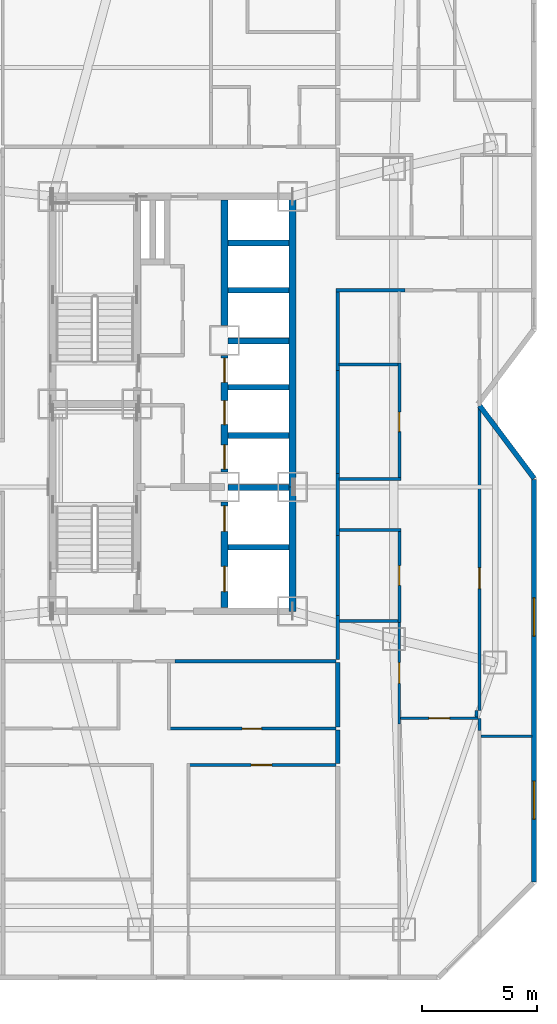
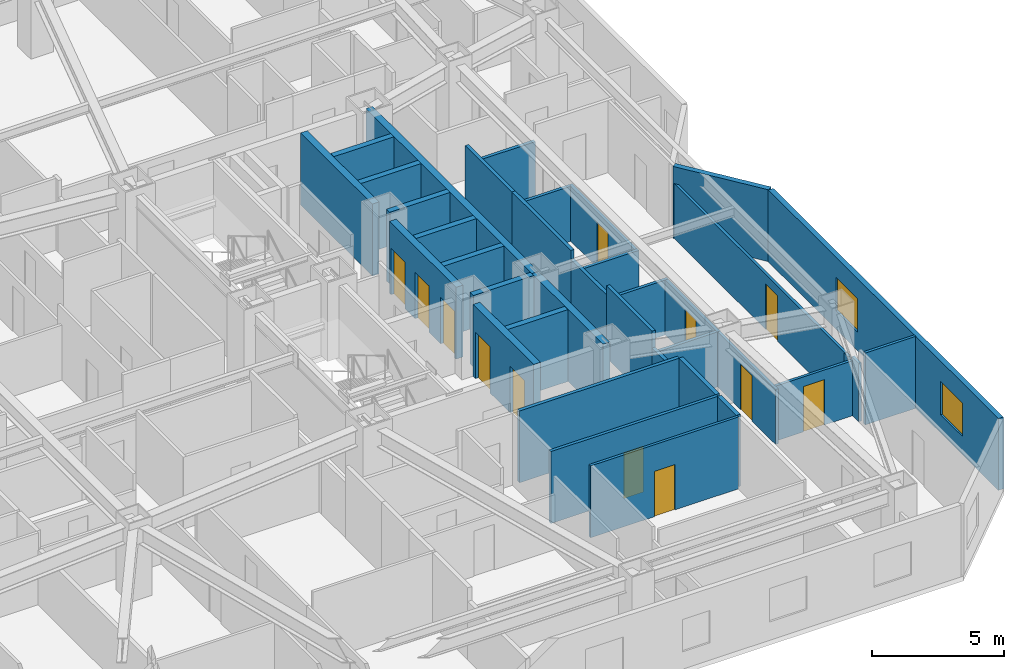
# One storey, part 14 of 18: 37 walls, 12 doors, 2 windows, 14 openings.
"""IFC4 building model written with IfcOpenShell, lengths in metres."""

import ifcopenshell
import ifcopenshell.guid

model = None  # the IFC model being written
_history = None  # IfcOwnerHistory: only IFC2X3 demands one
_inside = {}  # id of a spatial element -> (the spatial element, [elements in it])
_under = {}  # id of a project, library or spatial element -> (it, [spatial elements below it])
_declared = {}  # id of a project -> (the project, [libraries it declares])
_typed = {}  # id of a type object -> (the type object, [elements of that type])
_made_of = {}  # id of a material, layer set ... -> (it, [elements and type objects made of it])


def new_model(schema):
    """Start an empty IFC model of exactly this schema.

    Asked for "IFC4X3", IfcOpenShell would pick the latest addendum, in which some entities
    have other attributes; the version numbers below select the first issue.
    IFC2X3 requires an IfcOwnerHistory on every rooted entity: one is made here for all.
    """
    global model, _history
    if schema == "IFC4X3":
        model = ifcopenshell.file(schema_version=(4, 3, 0, 0))
    else:
        model = ifcopenshell.file(schema=schema)
    _inside.clear()
    _under.clear()
    _declared.clear()
    _typed.clear()
    _made_of.clear()
    _history = None
    if model.schema == "IFC2X3":
        org = make("IfcOrganization", Name="unknown")
        user = make(
            "IfcPersonAndOrganization",
            ThePerson=make("IfcPerson", FamilyName="unknown"),
            TheOrganization=org,
        )
        app = make(
            "IfcApplication",
            ApplicationDeveloper=org,
            Version="unknown",
            ApplicationFullName="unknown",
            ApplicationIdentifier="unknown",
        )
        _history = make(
            "IfcOwnerHistory",
            OwningUser=user,
            OwningApplication=app,
            ChangeAction="ADDED",
            CreationDate=0,
        )
    return model


def make(cls, **values):
    """One entity of the class cls with the attributes given. An attribute that is None is left unset."""
    return model.create_entity(
        cls, **{name: value for name, value in values.items() if value is not None}
    )


def rooted(cls, **values):
    """An entity with a GlobalId (a new one), such as an element, a storey or a relation."""
    return make(cls, GlobalId=ifcopenshell.guid.new(), OwnerHistory=_history, **values)


def si_unit(unit_type, name, prefix=None):
    """IfcSIUnit, for example si_unit("LENGTHUNIT", "METRE", prefix="MILLI")."""
    return make("IfcSIUnit", UnitType=unit_type, Prefix=prefix, Name=name)


def assignment(units):
    """IfcUnitAssignment: the units of a project."""
    return None if units is None else make("IfcUnitAssignment", Units=units)


def point(xyz):
    """IfcCartesianPoint."""
    return None if xyz is None else make("IfcCartesianPoint", Coordinates=xyz)


def direction(xyz):
    """IfcDirection."""
    return None if xyz is None else make("IfcDirection", DirectionRatios=xyz)


def frame(location, z_axis=None, x_axis=None):
    """IfcAxis2Placement3D, a coordinate frame: its origin and axes. An axis left out is left unset."""
    return make(
        "IfcAxis2Placement3D",
        Location=point(location),
        Axis=direction(z_axis),
        RefDirection=direction(x_axis),
    )


def frame_2d(location, x_axis=None):
    """IfcAxis2Placement2D, a coordinate frame in the plane: its origin and x axis."""
    return make(
        "IfcAxis2Placement2D", Location=point(location), RefDirection=direction(x_axis)
    )


def origin():
    """The frame at (0, 0, 0) with its axes left unset."""
    return frame((0.0, 0.0, 0.0))


def place(relative_to, where):
    """IfcLocalPlacement: puts the frame where relative to a parent placement (None: the world)."""
    return make(
        "IfcLocalPlacement", PlacementRelTo=relative_to, RelativePlacement=where
    )


def context(
    kind, dimensions, precision=None, world=None, true_north=None, identifier=None
):
    """IfcGeometricRepresentationContext, for example the 3D "Model" context."""
    return make(
        "IfcGeometricRepresentationContext",
        ContextIdentifier=identifier,
        ContextType=kind,
        CoordinateSpaceDimension=dimensions,
        Precision=precision,
        WorldCoordinateSystem=world,
        TrueNorth=true_north,
    )


def subcontext(parent, identifier, kind, view, scale=None):
    """IfcGeometricRepresentationSubContext, for example "Body" below "Model"."""
    return make(
        "IfcGeometricRepresentationSubContext",
        ContextIdentifier=identifier,
        ContextType=kind,
        ParentContext=parent,
        TargetScale=scale,
        TargetView=view,
    )


def project(units=None, contexts=None):
    """IfcProject with its units and contexts."""
    return rooted(
        "IfcProject",
        Name="project",
        RepresentationContexts=contexts,
        UnitsInContext=assignment(units),
    )


def spatial(cls, under=None, at=None, **own):
    """A site, building, storey or space (cls), placed at a placement, below another one or the project."""
    s = rooted(cls, ObjectPlacement=at, **own)
    if under is not None:
        _under.setdefault(under.id(), (under, []))[1].append(s)
    return s


def profile(cls, at=None, kind="AREA", **sizes):
    """A parametric profile (cls). Its sizes go by their IFC names, for example OverallWidth=200.0."""
    return make(cls, ProfileType=kind, Position=at, **sizes)


def rectangle(**sizes):
    """IfcRectangleProfileDef."""
    return profile("IfcRectangleProfileDef", **sizes)


def extrude(swept, where, along, depth):
    """IfcExtrudedAreaSolid: the profile swept, set in the frame where, extruded along a direction by depth."""
    return make(
        "IfcExtrudedAreaSolid",
        SweptArea=swept,
        Position=where,
        ExtrudedDirection=direction(along),
        Depth=depth,
    )


def shape(context_of_items, identifier, shape_type, items):
    """IfcShapeRepresentation: the items that make up one representation, for example the "Body"."""
    return make(
        "IfcShapeRepresentation",
        ContextOfItems=context_of_items,
        RepresentationIdentifier=identifier,
        RepresentationType=shape_type,
        Items=items,
    )


def material(Name=None, Category=None):
    """IfcMaterial."""
    return make("IfcMaterial", Name=Name, Category=Category)


def layer(
    of_material, thickness, ventilated=None, Name=None, Category=None, Priority=None
):
    """IfcMaterialLayer: one layer of a wall or slab, of a material (None: an air gap)."""
    return make(
        "IfcMaterialLayer",
        Material=of_material,
        LayerThickness=thickness,
        IsVentilated=ventilated,
        Name=Name,
        Category=Category,
        Priority=Priority,
    )


def layer_set(layers, Name=None):
    """IfcMaterialLayerSet."""
    return make("IfcMaterialLayerSet", MaterialLayers=layers, LayerSetName=Name)


def made_of(thing, what):
    """Note that an element or type object is made of a material, layer set ...; save() writes the relation."""
    if what is not None:
        _made_of.setdefault(what.id(), (what, []))[1].append(thing)
    return thing


def type_object(cls, material=None, **own):
    """A type object (cls), such as IfcWallType, which elements share."""
    return made_of(rooted(cls, **own), material)


def element(
    cls,
    number,
    at=None,
    inside=None,
    cuts=None,
    type_object=None,
    material=None,
    context=None,
    identifier="Body",
    shape_type=None,
    held_by="IfcProductDefinitionShape",
    body=None,
    shapes=None,
    **own,
):
    """One element of the class cls, such as IfcWall. Its Tag is "e" and its number.

    at: its placement. inside: the storey or other place that contains it. cuts: it is an
    opening in that element (IfcRelVoidsElement). A single representation is given by context,
    identifier, shape_type and body (its items); several are given by shapes. held_by: the class
    of the entity that holds the representations. save() writes the other relations.
    """
    e = rooted(cls, Tag="e%d" % number, ObjectPlacement=at, **own)
    if body is not None:
        shapes = [shape(context, identifier, shape_type, body)]
    if shapes is not None:
        e.Representation = make(held_by, Representations=shapes)
    if inside is not None:
        _inside.setdefault(inside.id(), (inside, []))[1].append(e)
    if cuts is not None:
        rooted(
            "IfcRelVoidsElement", RelatingBuildingElement=cuts, RelatedOpeningElement=e
        )
    if type_object is not None:
        _typed.setdefault(type_object.id(), (type_object, []))[1].append(e)
    return made_of(e, material)


def fill(opening, filler):
    """IfcRelFillsElement: the door or window that sits in an opening."""
    return rooted(
        "IfcRelFillsElement",
        RelatingOpeningElement=opening,
        RelatedBuildingElement=filler,
    )


def aggregate(whole, parts):
    """IfcRelAggregates: a whole, such as a stair, and the parts it consists of."""
    return rooted("IfcRelAggregates", RelatingObject=whole, RelatedObjects=parts)


def save(model, path):
    """Write the relations noted so far, then the file.

    IfcRelAggregates (storeys below a building ...), IfcRelContainedInSpatialStructure (elements
    in a storey), IfcRelDefinesByType, IfcRelAssociatesMaterial and IfcRelDeclares: one each for
    every whole, place, type object, material and project.
    """
    for whole, parts in _under.values():
        aggregate(whole, parts)
    for where, things in _inside.values():
        rooted(
            "IfcRelContainedInSpatialStructure",
            RelatedElements=things,
            RelatingStructure=where,
        )
    for kind, things in _typed.values():
        rooted("IfcRelDefinesByType", RelatedObjects=things, RelatingType=kind)
    for what, things in _made_of.values():
        rooted("IfcRelAssociatesMaterial", RelatedObjects=things, RelatingMaterial=what)
    for by, libraries in _declared.values():
        rooted("IfcRelDeclares", RelatingContext=by, RelatedDefinitions=libraries)
    model.write(path)


model = new_model("IFC4")

# Units and contexts
model_context = context("Model", 3, precision=1e-05, world=origin(), true_north=direction((0.0, 1.0)))
body_context = subcontext(model_context, "Body", "Model", "MODEL_VIEW")
ifc_project = project(units=[si_unit("LENGTHUNIT", "METRE"), si_unit("AREAUNIT", "SQUARE_METRE"), si_unit("VOLUMEUNIT", "CUBIC_METRE"), si_unit("PLANEANGLEUNIT", "RADIAN"), si_unit("MASSUNIT", "GRAM", prefix="KILO")], contexts=[model_context])

# Site, building, storey
site_placement = place(None, origin())
site = spatial("IfcSite", under=ifc_project, at=site_placement, CompositionType="ELEMENT")
building_placement = place(site_placement, origin())
building = spatial("IfcBuilding", under=site, at=building_placement, Name="Khamvora Tower", CompositionType="ELEMENT")
storey_placement = place(building_placement, frame((0.0, 0.0, 80.75)))
storey = spatial("IfcBuildingStorey", under=building, at=storey_placement, Name="L20", CompositionType="ELEMENT", Elevation=80.75)

# Walls
ifc_material_1 = material(Name="Concrete C50/60", Category="concrete")
ifc_layer_1 = layer(ifc_material_1, 0.300048828125)
ifc_layer_set_1 = layer_set([ifc_layer_1], Name="Concrete C50/60")
wall_type_1 = type_object("IfcWallType", Name="WAL-CORE-300", PredefinedType="SHEAR", material=ifc_layer_set_1)
wall_1_placement = place(storey_placement, frame((39.39990234375, 19.0, 0.0), z_axis=(0.0, 0.0, 1.0), x_axis=(0.0, 1.0, 0.0)))
element("IfcWall", 1, at=wall_1_placement, inside=storey, type_object=wall_type_1, Name="L20 central core east south wall", PredefinedType="SHEAR", context=body_context, shape_type="SweptSolid", body=[
    extrude(rectangle(XDim=5.39990234375, YDim=0.300048828125, at=frame_2d((2.699951171875, 0.0))), origin(), (0.0, 0.0, 1.0), 3.330078125),
])
wall_2_placement = place(storey_placement, frame((39.39990234375, 24.39990234375, 0.0), z_axis=(0.0, 0.0, 1.0), x_axis=(0.0, 1.0, 0.0)))
element("IfcWall", 2, at=wall_2_placement, inside=storey, type_object=wall_type_1, Name="L20 central core east north wall", PredefinedType="SHEAR", context=body_context, shape_type="SweptSolid", body=[
    extrude(rectangle(XDim=12.60009765625, YDim=0.300048828125, at=frame_2d((6.300048828125, 0.0))), origin(), (0.0, 0.0, 1.0), 3.330078125),
])

# Wall, openings, doors
wall_3_placement = place(storey_placement, frame((36.449951171875, 19.154052734375, 0.0), z_axis=(0.0, 0.0, 1.0), x_axis=(0.0, 1.0, 0.0)))
wall_3 = element("IfcWall", 3, at=wall_3_placement, inside=storey, type_object=wall_type_1, Name="L20 central core lift bank south wall", PredefinedType="SHEAR", context=body_context, shape_type="SweptSolid", body=[
    extrude(rectangle(XDim=4.595947265625, YDim=0.300048828125, at=frame_2d((2.2978515625, 0.0))), origin(), (0.0, 0.0, 1.0), 3.330078125),
])
opening_1_placement = place(wall_3_placement, frame((0.696044921875, 0.0, 0.0)))
opening_1 = element("IfcOpeningElement", 4, at=opening_1_placement, cuts=wall_3, Name="Opening LD-FFL", PredefinedType="OPENING", context=body_context, shape_type="SweptSolid", body=[
    extrude(rectangle(XDim=1.10009765625, YDim=2.14990234375, at=frame_2d((0.550048828125, 1.074951171875))), frame((0.0, 0.159912109375, 0.0), z_axis=(0.0, -1.0, 0.0), x_axis=(1.0, 0.0, 0.0)), (0.0, 0.0, 1.0), 0.320068359375),
])
opening_2_placement = place(wall_3_placement, frame((3.31591796875, 0.0, 0.0)))
opening_2 = element("IfcOpeningElement", 5, at=opening_2_placement, cuts=wall_3, Name="Opening LD-FFL", PredefinedType="OPENING", context=body_context, shape_type="SweptSolid", body=[
    extrude(rectangle(XDim=1.10009765625, YDim=2.14990234375, at=frame_2d((0.550048828125, 1.074951171875))), frame((0.0, 0.159912109375, 0.0), z_axis=(0.0, -1.0, 0.0), x_axis=(1.0, 0.0, 0.0)), (0.0, 0.0, 1.0), 0.320068359375),
])
ifc_material_2 = material(Name="Powder-Coated Steel and Hardwood Leaf", Category="steel")
door_type_1 = type_object("IfcDoorType", Name="DOR-LIFT-1100", OperationType="SLIDING_TO_LEFT", PredefinedType="DOOR", material=ifc_material_2)
door_1_placement = place(opening_1_placement, origin())
door_1 = element("IfcDoor", 6, at=door_1_placement, inside=storey, type_object=door_type_1, Name="L20 lift landing sliding door FFL-01", OperationType="SLIDING_TO_LEFT", OverallHeight=2.14990234375, OverallWidth=1.10009765625, PredefinedType="DOOR", context=body_context, shape_type="SweptSolid", body=[
    extrude(rectangle(XDim=1.10009765625, YDim=2.14990234375, at=frame_2d((0.550048828125, 1.074951171875))), frame((0.0, 0.02490234375, 0.0), z_axis=(0.0, -1.0, 0.0), x_axis=(1.0, 0.0, 0.0)), (0.0, 0.0, 1.0), 0.050048828125),
])
fill(opening_1, door_1)
door_2_placement = place(opening_2_placement, origin())
door_2 = element("IfcDoor", 7, at=door_2_placement, inside=storey, type_object=door_type_1, Name="L20 lift landing sliding door FFL-02", OperationType="SLIDING_TO_LEFT", OverallHeight=2.14990234375, OverallWidth=1.10009765625, PredefinedType="DOOR", context=body_context, shape_type="SweptSolid", body=[
    extrude(rectangle(XDim=1.10009765625, YDim=2.14990234375, at=frame_2d((0.550048828125, 1.074951171875))), frame((0.0, 0.02490234375, 0.0), z_axis=(0.0, -1.0, 0.0), x_axis=(1.0, 0.0, 0.0)), (0.0, 0.0, 1.0), 0.050048828125),
])
fill(opening_2, door_2)

wall_4_placement = place(storey_placement, frame((36.449951171875, 25.050048828125, 0.0), z_axis=(0.0, 0.0, 1.0), x_axis=(0.0, 1.0, 0.0)))
wall_4 = element("IfcWall", 8, at=wall_4_placement, inside=storey, type_object=wall_type_1, Name="L20 central core lift bank central wall", PredefinedType="SHEAR", context=body_context, shape_type="SweptSolid", body=[
    extrude(rectangle(XDim=5.050048828125, YDim=0.300048828125, at=frame_2d((2.52490234375, 0.0))), origin(), (0.0, 0.0, 1.0), 3.330078125),
])
opening_3_placement = place(wall_4_placement, frame((0.1201171875, 0.0, 0.0)))
opening_3 = element("IfcOpeningElement", 9, at=opening_3_placement, cuts=wall_4, Name="Opening LD-PL", PredefinedType="OPENING", context=body_context, shape_type="SweptSolid", body=[
    extrude(rectangle(XDim=1.050048828125, YDim=2.14990234375, at=frame_2d((0.52490234375, 1.074951171875))), frame((0.0, 0.159912109375, 0.0), z_axis=(0.0, -1.0, 0.0), x_axis=(1.0, 0.0, 0.0)), (0.0, 0.0, 1.0), 0.320068359375),
])
opening_4_placement = place(wall_4_placement, frame((2.044921875, 0.0, 0.0)))
opening_4 = element("IfcOpeningElement", 10, at=opening_4_placement, cuts=wall_4, Name="Opening LD-PL", PredefinedType="OPENING", context=body_context, shape_type="SweptSolid", body=[
    extrude(rectangle(XDim=1.050048828125, YDim=2.14990234375, at=frame_2d((0.52490234375, 1.074951171875))), frame((0.0, 0.159912109375, 0.0), z_axis=(0.0, -1.0, 0.0), x_axis=(1.0, 0.0, 0.0)), (0.0, 0.0, 1.0), 0.320068359375),
])
opening_5_placement = place(wall_4_placement, frame((3.8798828125, 0.0, 0.0)))
opening_5 = element("IfcOpeningElement", 11, at=opening_5_placement, cuts=wall_4, Name="Opening LD-PL", PredefinedType="OPENING", context=body_context, shape_type="SweptSolid", body=[
    extrude(rectangle(XDim=1.050048828125, YDim=2.14990234375, at=frame_2d((0.52490234375, 1.074951171875))), frame((0.0, 0.159912109375, 0.0), z_axis=(0.0, -1.0, 0.0), x_axis=(1.0, 0.0, 0.0)), (0.0, 0.0, 1.0), 0.320068359375),
])
door_type_2 = type_object("IfcDoorType", Name="DOR-LIFT-1050", OperationType="SLIDING_TO_LEFT", PredefinedType="DOOR", material=ifc_material_2)
door_3_placement = place(opening_3_placement, origin())
door_3 = element("IfcDoor", 12, at=door_3_placement, inside=storey, type_object=door_type_2, Name="L20 lift landing sliding door PL-01", OperationType="SLIDING_TO_LEFT", OverallHeight=2.14990234375, OverallWidth=1.050048828125, PredefinedType="DOOR", context=body_context, shape_type="SweptSolid", body=[
    extrude(rectangle(XDim=1.050048828125, YDim=2.14990234375, at=frame_2d((0.52490234375, 1.074951171875))), frame((0.0, 0.02490234375, 0.0), z_axis=(0.0, -1.0, 0.0), x_axis=(1.0, 0.0, 0.0)), (0.0, 0.0, 1.0), 0.050048828125),
])
fill(opening_3, door_3)
door_4_placement = place(opening_4_placement, origin())
door_4 = element("IfcDoor", 13, at=door_4_placement, inside=storey, type_object=door_type_2, Name="L20 lift landing sliding door PL-02", OperationType="SLIDING_TO_LEFT", OverallHeight=2.14990234375, OverallWidth=1.050048828125, PredefinedType="DOOR", context=body_context, shape_type="SweptSolid", body=[
    extrude(rectangle(XDim=1.050048828125, YDim=2.14990234375, at=frame_2d((0.52490234375, 1.074951171875))), frame((0.0, 0.02490234375, 0.0), z_axis=(0.0, -1.0, 0.0), x_axis=(1.0, 0.0, 0.0)), (0.0, 0.0, 1.0), 0.050048828125),
])
fill(opening_4, door_4)
door_5_placement = place(opening_5_placement, origin())
door_5 = element("IfcDoor", 14, at=door_5_placement, inside=storey, type_object=door_type_2, Name="L20 lift landing sliding door PL-03", OperationType="SLIDING_TO_LEFT", OverallHeight=2.14990234375, OverallWidth=1.050048828125, PredefinedType="DOOR", context=body_context, shape_type="SweptSolid", body=[
    extrude(rectangle(XDim=1.050048828125, YDim=2.14990234375, at=frame_2d((0.52490234375, 1.074951171875))), frame((0.0, 0.02490234375, 0.0), z_axis=(0.0, -1.0, 0.0), x_axis=(1.0, 0.0, 0.0)), (0.0, 0.0, 1.0), 0.050048828125),
])
fill(opening_5, door_5)

# Walls
wall_5_placement = place(storey_placement, frame((36.449951171875, 31.39990234375, 0.0), z_axis=(0.0, 0.0, 1.0), x_axis=(0.0, 1.0, 0.0)))
element("IfcWall", 15, at=wall_5_placement, inside=storey, type_object=wall_type_1, Name="L20 central core lift bank north wall", PredefinedType="SHEAR", context=body_context, shape_type="SweptSolid", body=[
    extrude(rectangle(XDim=5.446044921875, YDim=0.300048828125, at=frame_2d((2.72314453125, 0.0))), origin(), (0.0, 0.0, 1.0), 3.330078125),
])
ifc_material_3 = material(Name="Fire-Rated Drywall and Steel Stud", Category="steel")
ifc_layer_2 = layer(ifc_material_3, 0.14990234375)
ifc_layer_set_2 = layer_set([ifc_layer_2], Name="Fire-Rated Drywall and Steel Stud")
wall_type_2 = type_object("IfcWallType", Name="WAL-CORR-150", PredefinedType="STANDARD", material=ifc_layer_set_2)
wall_6_placement = place(storey_placement, frame((41.300048828125, 16.8349609375, 0.0), z_axis=(0.0, 0.0, 1.0), x_axis=(-1.0, 0.0, 0.0)))
element("IfcWall", 16, at=wall_6_placement, inside=storey, type_object=wall_type_2, Name="L20 interior partition wall 028", PredefinedType="STANDARD", context=body_context, shape_type="SweptSolid", body=[
    extrude(rectangle(XDim=7.0009765625, YDim=0.14990234375, at=frame_2d((3.50048828125, 0.0))), origin(), (0.0, 0.0, 1.0), 3.330078125),
])
wall_7_placement = place(storey_placement, frame((41.364990234375, 18.818115234375, 0.0), z_axis=(0.0, 0.0, 1.0), x_axis=(0.0, -1.0, 0.0)))
element("IfcWall", 17, at=wall_7_placement, inside=storey, type_object=wall_type_2, Name="L20 interior partition wall 032", PredefinedType="STANDARD", context=body_context, shape_type="SweptSolid", body=[
    extrude(rectangle(XDim=1.918212890625, YDim=0.14990234375, at=frame_2d((0.958984375, 0.0))), origin(), (0.0, 0.0, 1.0), 2.547119140625),
])
wall_8_placement = place(storey_placement, frame((44.287109375, 32.93505859375, 0.0), z_axis=(0.0, 0.0, 1.0), x_axis=(-1.0, 0.0, 0.0)))
element("IfcWall", 18, at=wall_8_placement, inside=storey, type_object=wall_type_2, Name="L20 interior partition wall 033", PredefinedType="STANDARD", context=body_context, shape_type="SweptSolid", body=[
    extrude(rectangle(XDim=2.987060546875, YDim=0.14990234375, at=frame_2d((1.49365234375, 0.0))), origin(), (0.0, 0.0, 1.0), 2.547119140625),
])
wall_9_placement = place(storey_placement, frame((41.364990234375, 32.998046875, 0.0), z_axis=(0.0, 0.0, 1.0), x_axis=(0.0, -1.0, 0.0)))
element("IfcWall", 19, at=wall_9_placement, inside=storey, type_object=wall_type_2, Name="L20 interior partition wall 034", PredefinedType="STANDARD", context=body_context, shape_type="SweptSolid", body=[
    extrude(rectangle(XDim=3.548095703125, YDim=0.14990234375, at=frame_2d((1.77392578125, 0.0))), origin(), (0.0, 0.0, 1.0), 3.330078125),
])
wall_10_placement = place(storey_placement, frame((41.364990234375, 24.98291015625, 0.0), z_axis=(0.0, 0.0, 1.0), x_axis=(0.0, -1.0, 0.0)))
element("IfcWall", 20, at=wall_10_placement, inside=storey, type_object=wall_type_2, Name="L20 interior partition wall 036", PredefinedType="STANDARD", context=body_context, shape_type="SweptSolid", body=[
    extrude(rectangle(XDim=2.697998046875, YDim=0.14990234375, at=frame_2d((1.34912109375, 0.0))), origin(), (0.0, 0.0, 1.0), 2.9130859375),
])
wall_11_placement = place(storey_placement, frame((41.364990234375, 22.284912109375, 0.0), z_axis=(0.0, 0.0, 1.0), x_axis=(0.0, -1.0, 0.0)))
element("IfcWall", 21, at=wall_11_placement, inside=storey, type_object=wall_type_2, Name="L20 interior partition wall 037", PredefinedType="STANDARD", context=body_context, shape_type="SweptSolid", body=[
    extrude(rectangle(XDim=3.466796875, YDim=0.14990234375, at=frame_2d((1.7333984375, 0.0))), origin(), (0.0, 0.0, 1.0), 3.330078125),
])
wall_12_placement = place(storey_placement, frame((41.364990234375, 29.449951171875, 0.0), z_axis=(0.0, 0.0, 1.0), x_axis=(0.0, -1.0, 0.0)))
element("IfcWall", 22, at=wall_12_placement, inside=storey, type_object=wall_type_2, Name="L20 interior partition wall 038", PredefinedType="STANDARD", context=body_context, shape_type="SweptSolid", body=[
    extrude(rectangle(XDim=4.467041015625, YDim=0.14990234375, at=frame_2d((2.2333984375, 0.0))), origin(), (0.0, 0.0, 1.0), 3.330078125),
])
ifc_material_4 = material(Name="Acoustic Double-Stud Fire Wall", Category="gypsum")
ifc_layer_3 = layer(ifc_material_4, 0.179931640625)
ifc_layer_set_3 = layer_set([ifc_layer_3], Name="Acoustic Double-Stud Fire Wall")
wall_type_3 = type_object("IfcWallType", Name="WAL-CORR-180", PredefinedType="STANDARD", material=ifc_layer_set_3)
wall_13_placement = place(storey_placement, frame((41.364990234375, 13.841064453125, 0.0), z_axis=(0.0, 0.0, 1.0), x_axis=(0.0, -1.0, 0.0)))
element("IfcWall", 23, at=wall_13_placement, inside=storey, type_object=wall_type_3, Name="L20 interior partition wall 129", PredefinedType="STANDARD", context=body_context, shape_type="SweptSolid", body=[
    extrude(rectangle(XDim=1.449951171875, YDim=0.179931640625, at=frame_2d((0.72509765625, 0.0))), origin(), (0.0, 0.0, 1.0), 3.330078125),
])
wall_14_placement = place(storey_placement, frame((41.364990234375, 16.77001953125, 0.0), z_axis=(0.0, 0.0, 1.0), x_axis=(0.0, -1.0, 0.0)))
element("IfcWall", 24, at=wall_14_placement, inside=storey, type_object=wall_type_3, Name="L20 interior partition wall 130", PredefinedType="STANDARD", context=body_context, shape_type="SweptSolid", body=[
    extrude(rectangle(XDim=2.799072265625, YDim=0.179931640625, at=frame_2d((1.3994140625, 0.0))), origin(), (0.0, 0.0, 1.0), 3.330078125),
])
ifc_material_5 = material(Name="Precast concrete C40/50", Category="concrete")
ifc_layer_4 = layer(ifc_material_5, 0.219970703125)
ifc_layer_set_4 = layer_set([ifc_layer_4], Name="Precast concrete C40/50")
wall_type_4 = type_object("IfcWallType", Name="WAL-EXT-220", PredefinedType="STANDARD", material=ifc_layer_set_4)
wall_15_placement = place(storey_placement, frame((47.51904296875, 27.923095703125, 0.0), z_axis=(0.0, 0.0, 1.0), x_axis=(0.600118645218, -0.799911002338, 0.0)))
element("IfcWall", 25, at=wall_15_placement, inside=storey, type_object=wall_type_4, Name="L20 exterior facade wall 11.1", PredefinedType="STANDARD", context=body_context, shape_type="SweptSolid", body=[
    extrude(rectangle(XDim=3.95068359375, YDim=0.219970703125, at=frame_2d((1.975341796875, 0.0))), origin(), (0.0, 0.0, 1.0), 3.330078125),
])

# Wall, openings, windows
wall_16_placement = place(storey_placement, frame((49.889892578125, 24.70703125, 0.0), z_axis=(0.0, 0.0, 1.0), x_axis=(0.0, -1.0, 0.0)))
wall_16 = element("IfcWall", 26, at=wall_16_placement, inside=storey, type_object=wall_type_4, Name="L20 exterior facade wall 12.1", PredefinedType="STANDARD", context=body_context, shape_type="SweptSolid", body=[
    extrude(rectangle(XDim=17.4609375, YDim=0.219970703125, at=frame_2d((8.73046875, 0.0))), origin(), (0.0, 0.0, 1.0), 3.330078125),
])
opening_6_placement = place(wall_16_placement, frame((13.076904296875, 0.0, 0.85009765625)))
opening_6 = element("IfcOpeningElement", 27, at=opening_6_placement, cuts=wall_16, Name="Opening WN-06", PredefinedType="OPENING", context=body_context, shape_type="SweptSolid", body=[
    extrude(rectangle(XDim=1.64990234375, YDim=1.550048828125, at=frame_2d((0.824951171875, 0.77490234375))), frame((0.0, 0.119873046875, 0.0), z_axis=(0.0, -1.0, 0.0), x_axis=(1.0, 0.0, 0.0)), (0.0, 0.0, 1.0), 0.239990234375),
])
opening_7_placement = place(wall_16_placement, frame((5.131103515625, 0.0, 0.85009765625)))
opening_7 = element("IfcOpeningElement", 28, at=opening_7_placement, cuts=wall_16, Name="Opening WN-06", PredefinedType="OPENING", context=body_context, shape_type="SweptSolid", body=[
    extrude(rectangle(XDim=1.64990234375, YDim=1.550048828125, at=frame_2d((0.824951171875, 0.77490234375))), frame((0.0, 0.119873046875, 0.0), z_axis=(0.0, -1.0, 0.0), x_axis=(1.0, 0.0, 0.0)), (0.0, 0.0, 1.0), 0.239990234375),
])
ifc_material_6 = material(Name="Low-E Laminated Double Glazing", Category="glass")
window_type = type_object("IfcWindowType", Name="WIN-VIS-1650x1550", PartitioningType="SINGLE_PANEL", PredefinedType="WINDOW", material=ifc_material_6)
window_1_placement = place(opening_6_placement, origin())
window_1 = element("IfcWindow", 29, at=window_1_placement, inside=storey, type_object=window_type, Name="L20 vision window 12.1.01", OverallHeight=1.550048828125, OverallWidth=1.64990234375, PartitioningType="SINGLE_PANEL", PredefinedType="WINDOW", context=body_context, shape_type="SweptSolid", body=[
    extrude(rectangle(XDim=1.64990234375, YDim=1.550048828125, at=frame_2d((0.824951171875, 0.77490234375))), frame((0.0, 0.030029296875, 0.0), z_axis=(0.0, -1.0, 0.0), x_axis=(1.0, 0.0, 0.0)), (0.0, 0.0, 1.0), 0.06005859375),
])
fill(opening_6, window_1)
window_2_placement = place(opening_7_placement, origin())
window_2 = element("IfcWindow", 30, at=window_2_placement, inside=storey, type_object=window_type, Name="L20 vision window 12.1.02", OverallHeight=1.550048828125, OverallWidth=1.64990234375, PartitioningType="SINGLE_PANEL", PredefinedType="WINDOW", context=body_context, shape_type="SweptSolid", body=[
    extrude(rectangle(XDim=1.64990234375, YDim=1.550048828125, at=frame_2d((0.824951171875, 0.77490234375))), frame((0.0, 0.030029296875, 0.0), z_axis=(0.0, -1.0, 0.0), x_axis=(1.0, 0.0, 0.0)), (0.0, 0.0, 1.0), 0.06005859375),
])
fill(opening_7, window_2)

# Wall, opening, door
ifc_material_7 = material(Name="Gypsum Plasterboard Partition", Category="gypsum")
ifc_layer_5 = layer(ifc_material_7, 0.1201171875)
ifc_layer_set_5 = layer_set([ifc_layer_5], Name="Gypsum Plasterboard Partition")
wall_type_5 = type_object("IfcWallType", Name="WAL-PART-120", PredefinedType="PARTITIONING", material=ifc_layer_set_5)
wall_17_placement = place(storey_placement, frame((41.300048828125, 12.325927734375, 0.0), z_axis=(0.0, 0.0, 1.0), x_axis=(-1.0, 0.0, 0.0)))
wall_17 = element("IfcWall", 31, at=wall_17_placement, inside=storey, type_object=wall_type_5, Name="L20 interior partition wall 127", PredefinedType="PARTITIONING", context=body_context, shape_type="SweptSolid", body=[
    extrude(rectangle(XDim=6.47998046875, YDim=0.1201171875, at=frame_2d((3.239990234375, 0.0))), origin(), (0.0, 0.0, 1.0), 3.330078125),
])
opening_8_placement = place(wall_17_placement, frame((2.7900390625, 0.0, 0.0)))
opening_8 = element("IfcOpeningElement", 32, at=opening_8_placement, cuts=wall_17, Name="Opening D-RM1", PredefinedType="OPENING", context=body_context, shape_type="SweptSolid", body=[
    extrude(rectangle(XDim=0.89990234375, YDim=2.10009765625, at=frame_2d((0.449951171875, 1.050048828125))), frame((0.0, 0.070068359375, 0.0), z_axis=(0.0, -1.0, 0.0), x_axis=(1.0, 0.0, 0.0)), (0.0, 0.0, 1.0), 0.14013671875),
])
door_type_3 = type_object("IfcDoorType", Name="DOR-ROOM-900", OperationType="NOTDEFINED", PredefinedType="DOOR", material=ifc_material_2)
door_6_placement = place(opening_8_placement, origin())
door_6 = element("IfcDoor", 33, at=door_6_placement, inside=storey, type_object=door_type_3, Name="L20 interior door 20SAH-20SAR4", OperationType="SINGLE_SWING_RIGHT", OverallHeight=2.10009765625, OverallWidth=0.89990234375, PredefinedType="DOOR", context=body_context, shape_type="SweptSolid", body=[
    extrude(rectangle(XDim=0.89990234375, YDim=2.10009765625, at=frame_2d((0.449951171875, 1.050048828125))), frame((0.0, 0.02490234375, 0.0), z_axis=(0.0, -1.0, 0.0), x_axis=(1.0, 0.0, 0.0)), (0.0, 0.0, 1.0), 0.050048828125),
])
fill(opening_8, door_6)

wall_18_placement = place(storey_placement, frame((44.0380859375, 18.50390625, 0.0), z_axis=(0.0, 0.0, 1.0), x_axis=(0.0, -1.0, 0.0)))
wall_18 = element("IfcWall", 34, at=wall_18_placement, inside=storey, type_object=wall_type_5, Name="L20 interior partition wall 146", PredefinedType="PARTITIONING", context=body_context, shape_type="SweptSolid", body=[
    extrude(rectangle(XDim=4.39892578125, YDim=0.1201171875, at=frame_2d((2.199462890625, 0.0))), origin(), (0.0, 0.0, 1.0), 2.547119140625),
])
opening_9_placement = place(wall_18_placement, frame((1.72900390625, 0.0, 0.0)))
opening_9 = element("IfcOpeningElement", 35, at=opening_9_placement, cuts=wall_18, Name="Opening D-RM1", PredefinedType="OPENING", context=body_context, shape_type="SweptSolid", body=[
    extrude(rectangle(XDim=0.89990234375, YDim=2.10009765625, at=frame_2d((0.449951171875, 1.050048828125))), frame((0.0, 0.070068359375, 0.0), z_axis=(0.0, -1.0, 0.0), x_axis=(1.0, 0.0, 0.0)), (0.0, 0.0, 1.0), 0.14013671875),
])
door_7_placement = place(opening_9_placement, origin())
door_7 = element("IfcDoor", 36, at=door_7_placement, inside=storey, type_object=door_type_3, Name="L20 interior door 20EAW1-20EAH", OperationType="SINGLE_SWING_RIGHT", OverallHeight=2.10009765625, OverallWidth=0.89990234375, PredefinedType="DOOR", context=body_context, shape_type="SweptSolid", body=[
    extrude(rectangle(XDim=0.89990234375, YDim=2.10009765625, at=frame_2d((0.449951171875, 1.050048828125))), frame((0.0, 0.02490234375, 0.0), z_axis=(0.0, -1.0, 0.0), x_axis=(1.0, 0.0, 0.0)), (0.0, 0.0, 1.0), 0.050048828125),
])
fill(opening_9, door_7)

wall_19_placement = place(storey_placement, frame((47.452880859375, 14.35400390625, 0.0), z_axis=(0.0, 0.0, 1.0), x_axis=(-1.0, 0.0, 0.0)))
wall_19 = element("IfcWall", 37, at=wall_19_placement, inside=storey, type_object=wall_type_5, Name="L20 interior partition wall 151", PredefinedType="PARTITIONING", context=body_context, shape_type="SweptSolid", body=[
    extrude(rectangle(XDim=3.36083984375, YDim=0.1201171875, at=frame_2d((1.680419921875, 0.0))), origin(), (0.0, 0.0, 1.0), 2.547119140625),
])
opening_10_placement = place(wall_19_placement, frame((1.23095703125, 0.0, 0.0)))
opening_10 = element("IfcOpeningElement", 38, at=opening_10_placement, cuts=wall_19, Name="Opening D-RM1", PredefinedType="OPENING", context=body_context, shape_type="SweptSolid", body=[
    extrude(rectangle(XDim=0.89990234375, YDim=2.10009765625, at=frame_2d((0.449951171875, 1.050048828125))), frame((0.0, 0.070068359375, 0.0), z_axis=(0.0, -1.0, 0.0), x_axis=(1.0, 0.0, 0.0)), (0.0, 0.0, 1.0), 0.14013671875),
])
door_8_placement = place(opening_10_placement, origin())
door_8 = element("IfcDoor", 39, at=door_8_placement, inside=storey, type_object=door_type_3, Name="L20 interior door 20EAH-20EAD", OperationType="SINGLE_SWING_LEFT", OverallHeight=2.10009765625, OverallWidth=0.89990234375, PredefinedType="DOOR", context=body_context, shape_type="SweptSolid", body=[
    extrude(rectangle(XDim=0.89990234375, YDim=2.10009765625, at=frame_2d((0.449951171875, 1.050048828125))), frame((0.0, 0.02490234375, 0.0), z_axis=(0.0, -1.0, 0.0), x_axis=(1.0, 0.0, 0.0)), (0.0, 0.0, 1.0), 0.050048828125),
])
fill(opening_10, door_8)

# Wall
wall_20_placement = place(storey_placement, frame((47.387939453125, 14.694091796875, 0.0), z_axis=(0.0, 0.0, 1.0), x_axis=(0.0, -1.0, 0.0)))
element("IfcWall", 40, at=wall_20_placement, inside=storey, type_object=wall_type_5, Name="L20 interior partition wall 152", PredefinedType="PARTITIONING", context=body_context, shape_type="SweptSolid", body=[
    extrude(rectangle(XDim=0.275146484375, YDim=0.1201171875, at=frame_2d((0.1376953125, 0.0))), origin(), (0.0, 0.0, 1.0), 2.702880859375),
])

# Wall, opening, door
wall_21_placement = place(storey_placement, frame((47.51806640625, 27.885986328125, 0.0), z_axis=(0.0, 0.0, 1.0), x_axis=(0.0, -1.0, 0.0)))
wall_21 = element("IfcWall", 41, at=wall_21_placement, inside=storey, type_object=wall_type_5, Name="L20 interior partition wall 157", PredefinedType="PARTITIONING", context=body_context, shape_type="SweptSolid", body=[
    extrude(rectangle(XDim=13.19189453125, YDim=0.1201171875, at=frame_2d((6.595947265625, 0.0))), origin(), (0.0, 0.0, 1.0), 2.547119140625),
])
opening_11_placement = place(wall_21_placement, frame((7.00390625, 0.0, 0.0)))
opening_11 = element("IfcOpeningElement", 42, at=opening_11_placement, cuts=wall_21, Name="Opening D-RM1", PredefinedType="OPENING", context=body_context, shape_type="SweptSolid", body=[
    extrude(rectangle(XDim=0.89990234375, YDim=2.10009765625, at=frame_2d((0.449951171875, 1.050048828125))), frame((0.0, 0.070068359375, 0.0), z_axis=(0.0, -1.0, 0.0), x_axis=(1.0, 0.0, 0.0)), (0.0, 0.0, 1.0), 0.14013671875),
])
door_9_placement = place(opening_11_placement, origin())
door_9 = element("IfcDoor", 43, at=door_9_placement, inside=storey, type_object=door_type_3, Name="L20 interior door 20EAH-20EAR2", OperationType="SINGLE_SWING_RIGHT", OverallHeight=2.10009765625, OverallWidth=0.89990234375, PredefinedType="DOOR", context=body_context, shape_type="SweptSolid", body=[
    extrude(rectangle(XDim=0.89990234375, YDim=2.10009765625, at=frame_2d((0.449951171875, 1.050048828125))), frame((0.0, 0.02490234375, 0.0), z_axis=(0.0, -1.0, 0.0), x_axis=(1.0, 0.0, 0.0)), (0.0, 0.0, 1.0), 0.050048828125),
])
fill(opening_11, door_9)

# Walls
wall_22_placement = place(storey_placement, frame((47.51806640625, 14.35400390625, 0.0), z_axis=(0.0, 0.0, 1.0), x_axis=(0.0, -1.0, 0.0)))
element("IfcWall", 44, at=wall_22_placement, inside=storey, type_object=wall_type_5, Name="L20 interior partition wall 160", PredefinedType="PARTITIONING", context=body_context, shape_type="SweptSolid", body=[
    extrude(rectangle(XDim=0.52490234375, YDim=0.1201171875, at=frame_2d((0.262451171875, 0.0))), origin(), (0.0, 0.0, 1.0), 2.702880859375),
])
wall_23_placement = place(storey_placement, frame((47.572021484375, 13.580078125, 0.0), z_axis=(0.0, 0.0, 1.0), x_axis=(1.0, 0.0, 0.0)))
element("IfcWall", 45, at=wall_23_placement, inside=storey, type_object=wall_type_5, Name="L20 interior partition wall 161", PredefinedType="PARTITIONING", context=body_context, shape_type="SweptSolid", body=[
    extrude(rectangle(XDim=2.216064453125, YDim=0.1201171875, at=frame_2d((1.10791015625, 0.0))), origin(), (0.0, 0.0, 1.0), 3.330078125),
])
ifc_material_8 = material(Name="Concrete C40/50", Category="concrete")
ifc_layer_6 = layer(ifc_material_8, 0.25)
ifc_layer_set_6 = layer_set([ifc_layer_6], Name="Concrete C40/50")
wall_type_6 = type_object("IfcWallType", Name="WAL-PODS-250", PredefinedType="SHEAR", material=ifc_layer_set_6)
for number, where, z_axis, x_axis, name in (
    (46, (36.60400390625, 21.77490234375, 0.0), (0.0, 0.0, 1.0), (1.0, 0.0, 0.0), "L20 lift shaft divider wall FFL-01"),
    (47, (36.60400390625, 24.375, 0.0), (0.0, 0.0, 1.0), (1.0, 0.0, 0.0), "L20 lift shaft divider wall FFL-02"),
    (48, (36.60400390625, 26.625, 0.0), (0.0, 0.0, 1.0), (1.0, 0.0, 0.0), "L20 lift shaft divider wall PL-01"),
    (49, (36.60400390625, 28.72509765625, 0.0), (0.0, 0.0, 1.0), (1.0, 0.0, 0.0), "L20 lift shaft divider wall PL-02"),
    (50, (36.60400390625, 30.72509765625, 0.0), (0.0, 0.0, 1.0), (1.0, 0.0, 0.0), "L20 lift shaft divider wall PL-03"),
    (51, (36.60400390625, 32.925048828125, 0.0), (0.0, 0.0, 1.0), (1.0, 0.0, 0.0), "L20 lift shaft divider wall PH-01"),
    (52, (36.60400390625, 34.97509765625, 0.0), (0.0, 0.0, 1.0), (1.0, 0.0, 0.0), "L20 lift shaft divider wall PH-02"),
):
    element("IfcWall", number, at=place(storey_placement, frame(where, z_axis=z_axis, x_axis=x_axis)), inside=storey, type_object=wall_type_6, Name=name, PredefinedType="SHEAR", context=body_context, shape_type="SweptSolid", body=[
        extrude(rectangle(XDim=2.64208984375, YDim=0.25, at=frame_2d((1.321044921875, 0.0))), origin(), (0.0, 0.0, 1.0), 3.330078125),
    ])

# Wall, opening, door
ifc_material_9 = material(Name="Moisture-Resistant Plasterboard Partition", Category="gypsum")
ifc_layer_7 = layer(ifc_material_9, 0.135009765625)
ifc_layer_set_7 = layer_set([ifc_layer_7], Name="Moisture-Resistant Plasterboard Partition")
wall_type_7 = type_object("IfcWallType", Name="WAL-WET-135", PredefinedType="PARTITIONING", material=ifc_layer_set_7)
wall_24_placement = place(storey_placement, frame((33.985107421875, 13.906005859375, 0.0), z_axis=(0.0, 0.0, 1.0), x_axis=(1.0, 0.0, 0.0)))
wall_24 = element("IfcWall", 53, at=wall_24_placement, inside=storey, type_object=wall_type_7, Name="L20 interior partition wall 122", PredefinedType="PARTITIONING", context=body_context, shape_type="SweptSolid", body=[
    extrude(rectangle(XDim=7.31494140625, YDim=0.135009765625, at=frame_2d((3.657470703125, 0.0))), origin(), (0.0, 0.0, 1.0), 3.330078125),
])
opening_12_placement = place(wall_24_placement, frame((3.23291015625, 0.0, 0.0)))
opening_12 = element("IfcOpeningElement", 54, at=opening_12_placement, cuts=wall_24, Name="Opening D-RM2", PredefinedType="OPENING", context=body_context, shape_type="SweptSolid", body=[
    extrude(rectangle(XDim=0.85009765625, YDim=2.10009765625, at=frame_2d((0.425048828125, 1.050048828125))), frame((0.0, 0.077392578125, 0.0), z_axis=(0.0, -1.0, 0.0), x_axis=(1.0, 0.0, 0.0)), (0.0, 0.0, 1.0), 0.155029296875),
])
door_type_4 = type_object("IfcDoorType", Name="DOR-ROOM-850", OperationType="NOTDEFINED", PredefinedType="DOOR", material=ifc_material_2)
door_10_placement = place(opening_12_placement, origin())
door_10 = element("IfcDoor", 55, at=door_10_placement, inside=storey, type_object=door_type_4, Name="L20 interior door 20SAH-20SAK", OperationType="SINGLE_SWING_RIGHT", OverallHeight=2.10009765625, OverallWidth=0.85009765625, PredefinedType="DOOR", context=body_context, shape_type="SweptSolid", body=[
    extrude(rectangle(XDim=0.85009765625, YDim=2.10009765625, at=frame_2d((0.425048828125, 1.050048828125))), frame((0.0, 0.02490234375, 0.0), z_axis=(0.0, -1.0, 0.0), x_axis=(1.0, 0.0, 0.0)), (0.0, 0.0, 1.0), 0.050048828125),
])
fill(opening_12, door_10)

# Walls
for number, where, z_axis, x_axis, name in (
    (56, (41.431884765625, 18.569091796875, 0.0), (0.0, 0.0, 1.0), (1.0, 0.0, 0.0), "L20 interior partition wall 148"),
    (57, (43.972900390625, 29.698974609375, 0.0), (0.0, 0.0, 1.0), (-1.0, 0.0, 0.0), "L20 interior partition wall 150"),
):
    element("IfcWall", number, at=place(storey_placement, frame(where, z_axis=z_axis, x_axis=x_axis)), inside=storey, type_object=wall_type_7, Name=name, PredefinedType="PARTITIONING", context=body_context, shape_type="SweptSolid", body=[
        extrude(rectangle(XDim=2.541015625, YDim=0.135009765625, at=frame_2d((1.2705078125, 0.0))), origin(), (0.0, 0.0, 1.0), 2.547119140625),
    ])

# Wall, opening, door
wall_25_placement = place(storey_placement, frame((44.0380859375, 18.50390625, 0.0), z_axis=(0.0, 0.0, 1.0), x_axis=(0.0, 1.0, 0.0)))
wall_25 = element("IfcWall", 58, at=wall_25_placement, inside=storey, type_object=wall_type_7, Name="L20 interior partition wall 153", PredefinedType="PARTITIONING", context=body_context, shape_type="SweptSolid", body=[
    extrude(rectangle(XDim=4.09521484375, YDim=0.135009765625, at=frame_2d((2.047607421875, 0.0))), origin(), (0.0, 0.0, 1.0), 2.547119140625),
])
opening_13_placement = place(wall_25_placement, frame((1.6220703125, 0.0, 0.0)))
opening_13 = element("IfcOpeningElement", 59, at=opening_13_placement, cuts=wall_25, Name="Opening D-WC1", PredefinedType="OPENING", context=body_context, shape_type="SweptSolid", body=[
    extrude(rectangle(XDim=0.85009765625, YDim=2.10009765625, at=frame_2d((0.425048828125, 1.050048828125))), frame((0.0, 0.077392578125, 0.0), z_axis=(0.0, -1.0, 0.0), x_axis=(1.0, 0.0, 0.0)), (0.0, 0.0, 1.0), 0.155029296875),
])
door_type_5 = type_object("IfcDoorType", Name="DOR-WET-850", OperationType="NOTDEFINED", PredefinedType="DOOR", material=ifc_material_2)
door_11_placement = place(opening_13_placement, origin())
door_11 = element("IfcDoor", 60, at=door_11_placement, inside=storey, type_object=door_type_5, Name="L20 interior door 20EAH-20EAB", OperationType="SINGLE_SWING_RIGHT", OverallHeight=2.10009765625, OverallWidth=0.85009765625, PredefinedType="DOOR", context=body_context, shape_type="SweptSolid", body=[
    extrude(rectangle(XDim=0.85009765625, YDim=2.10009765625, at=frame_2d((0.425048828125, 1.050048828125))), frame((0.0, 0.02490234375, 0.0), z_axis=(0.0, -1.0, 0.0), x_axis=(1.0, 0.0, 0.0)), (0.0, 0.0, 1.0), 0.050048828125),
])
fill(opening_13, door_11)

# Walls
for number, where, z_axis, x_axis, name in (
    (61, (44.10302734375, 22.533935546875, 0.0), (0.0, 0.0, 1.0), (-1.0, 0.0, 0.0), "L20 interior partition wall 154"),
    (62, (41.431884765625, 24.73388671875, 0.0), (0.0, 0.0, 1.0), (1.0, 0.0, 0.0), "L20 interior partition wall 155"),
):
    element("IfcWall", number, at=place(storey_placement, frame(where, z_axis=z_axis, x_axis=x_axis)), inside=storey, type_object=wall_type_7, Name=name, PredefinedType="PARTITIONING", context=body_context, shape_type="SweptSolid", body=[
        extrude(rectangle(XDim=2.671142578125, YDim=0.135009765625, at=frame_2d((1.33544921875, 0.0))), origin(), (0.0, 0.0, 1.0), 2.547119140625),
    ])

# Wall, opening, door
wall_26_placement = place(storey_placement, frame((44.0380859375, 24.6689453125, 0.0), z_axis=(0.0, 0.0, 1.0), x_axis=(0.0, 1.0, 0.0)))
wall_26 = element("IfcWall", 63, at=wall_26_placement, inside=storey, type_object=wall_type_7, Name="L20 interior partition wall 156", PredefinedType="PARTITIONING", context=body_context, shape_type="SweptSolid", body=[
    extrude(rectangle(XDim=5.094970703125, YDim=0.135009765625, at=frame_2d((2.54736328125, 0.0))), origin(), (0.0, 0.0, 1.0), 2.547119140625),
])
opening_14_placement = place(wall_26_placement, frame((2.123046875, 0.0, 0.0)))
opening_14 = element("IfcOpeningElement", 64, at=opening_14_placement, cuts=wall_26, Name="Opening D-RM2", PredefinedType="OPENING", context=body_context, shape_type="SweptSolid", body=[
    extrude(rectangle(XDim=0.85009765625, YDim=2.10009765625, at=frame_2d((0.425048828125, 1.050048828125))), frame((0.0, 0.077392578125, 0.0), z_axis=(0.0, -1.0, 0.0), x_axis=(1.0, 0.0, 0.0)), (0.0, 0.0, 1.0), 0.155029296875),
])
door_12_placement = place(opening_14_placement, origin())
door_12 = element("IfcDoor", 65, at=door_12_placement, inside=storey, type_object=door_type_4, Name="L20 interior door 20EAH-20EAK", OperationType="SINGLE_SWING_LEFT", OverallHeight=2.10009765625, OverallWidth=0.85009765625, PredefinedType="DOOR", context=body_context, shape_type="SweptSolid", body=[
    extrude(rectangle(XDim=0.85009765625, YDim=2.10009765625, at=frame_2d((0.425048828125, 1.050048828125))), frame((0.0, 0.02490234375, 0.0), z_axis=(0.0, -1.0, 0.0), x_axis=(1.0, 0.0, 0.0)), (0.0, 0.0, 1.0), 0.050048828125),
])
fill(opening_14, door_12)

save(model, "model.ifc")
